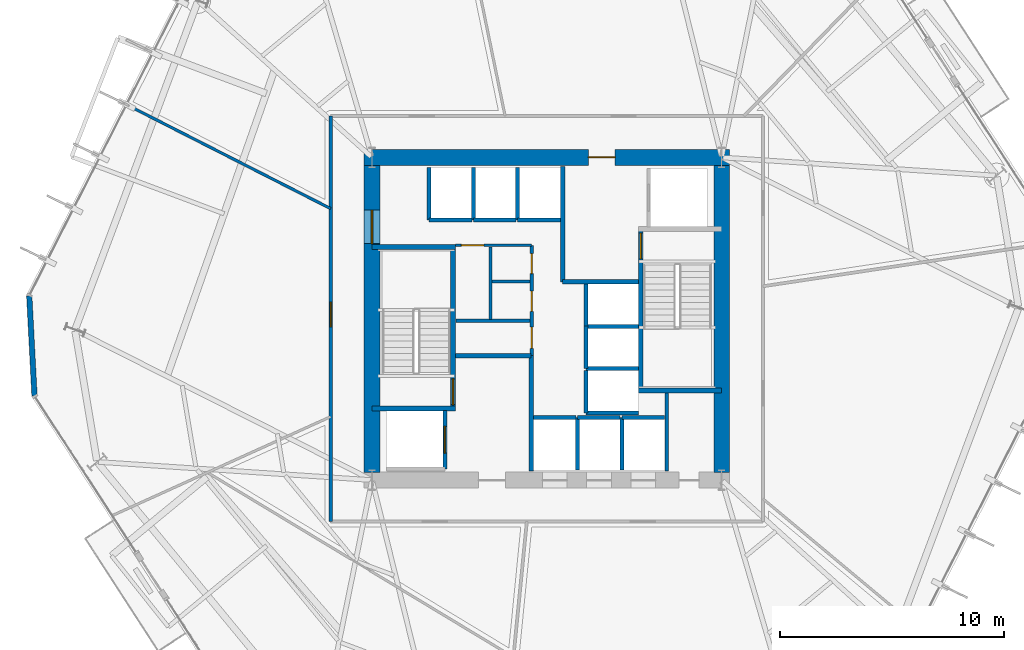
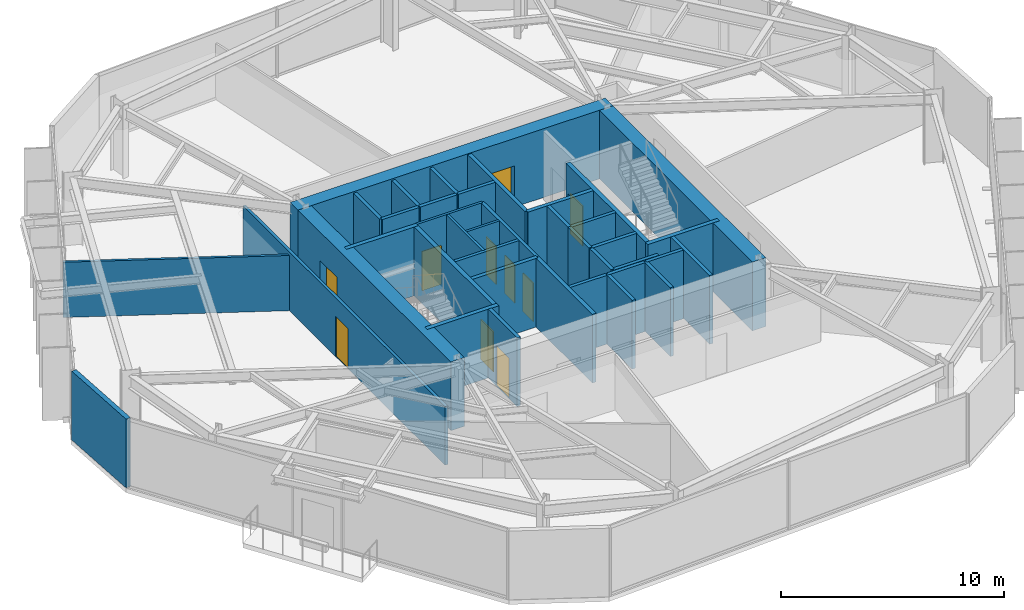
# One storey, part 6 of 10: 39 walls, 10 doors, 10 openings.
"""IFC4 building model written with IfcOpenShell, lengths in metres."""

from ifc_helpers import new_model, si_unit, direction, frame, frame_2d, origin, place, context, subcontext, project, spatial, rectangle, extrude, material, layer, layer_set, type_object, element, fill, save


model = new_model("IFC4")

# Units and contexts
model_context = context("Model", 3, precision=1e-05, world=origin(), true_north=direction((0.0, 1.0)))
body_context = subcontext(model_context, "Body", "Model", "MODEL_VIEW")
ifc_project = project(units=[si_unit("LENGTHUNIT", "METRE"), si_unit("AREAUNIT", "SQUARE_METRE"), si_unit("VOLUMEUNIT", "CUBIC_METRE"), si_unit("PLANEANGLEUNIT", "RADIAN"), si_unit("MASSUNIT", "GRAM", prefix="KILO")], contexts=[model_context])

# Site, building, storey
site_placement = place(None, origin())
site = spatial("IfcSite", under=ifc_project, at=site_placement, CompositionType="ELEMENT")
building_placement = place(site_placement, origin())
building = spatial("IfcBuilding", under=site, at=building_placement, Name="Kranzbogen Civic Tower", CompositionType="ELEMENT")
storey_placement = place(building_placement, frame((0.0, 0.0, 32.0)))
storey = spatial("IfcBuildingStorey", under=building, at=storey_placement, Name="L07", CompositionType="ELEMENT", Elevation=32.0)

# Wall, opening, door
ifc_material_1 = material(Name="Double-Stud Acoustic Gypsum Partition")
ifc_layer_1 = layer(ifc_material_1, 0.14990234375, Name="Double-Stud Acoustic Gypsum Partition")
ifc_layer_set_1 = layer_set([ifc_layer_1], Name="Double-Stud Acoustic Gypsum Partition")
wall_type_1 = type_object("IfcWallType", Name="Acoustic Corridor and Clinical Partition 150 mm", PredefinedType="PARTITIONING", material=ifc_layer_set_1)
wall_1_placement = place(storey_placement, frame((15.35009765625, 15.949951171875, 0.0), z_axis=(0.0, 0.0, 1.0), x_axis=(0.0, 1.0, 0.0)))
wall_1 = element("IfcWall", 1, at=wall_1_placement, inside=storey, type_object=wall_type_1, Name="L07 corridor partition 04", PredefinedType="PARTITIONING", context=body_context, shape_type="SweptSolid", body=[
    extrude(rectangle(XDim=18.10009765625, YDim=0.14990234375, at=frame_2d((9.050048828125, 0.0))), origin(), (0.0, 0.0, 1.0), 3.2099609375),
])
opening_1_placement = place(wall_1_placement, frame((8.68701171875, 0.0, 0.0)))
opening_1 = element("IfcOpeningElement", 2, at=opening_1_placement, cuts=wall_1, Name="Opening D-COR60", PredefinedType="OPENING", context=body_context, shape_type="SweptSolid", body=[
    extrude(rectangle(XDim=1.10009765625, YDim=2.199951171875, at=frame_2d((0.550048828125, 1.10009765625))), frame((0.0, 0.0849609375, 0.0), z_axis=(0.0, -1.0, 0.0), x_axis=(1.0, 0.0, 0.0)), (0.0, 0.0, 1.0), 0.169921875),
])
ifc_material_2 = material(Name="Oak Timber and Fire Core", Category="wood")
door_type_1 = type_object("IfcDoorType", Name="Corridor Acoustic Fire Door 1100x2200", OperationType="NOTDEFINED", PredefinedType="DOOR", material=ifc_material_2)
door_1_placement = place(opening_1_placement, origin())
door_1 = element("IfcDoor", 3, at=door_1_placement, inside=storey, type_object=door_type_1, Name="L07 Ministerial Policy Office door", OperationType="SINGLE_SWING_RIGHT", OverallHeight=2.199951171875, OverallWidth=1.10009765625, PredefinedType="DOOR", context=body_context, shape_type="SweptSolid", body=[
    extrude(rectangle(XDim=1.10009765625, YDim=2.199951171875, at=frame_2d((0.550048828125, 1.10009765625))), frame((0.0, 0.02490234375, 0.0), z_axis=(0.0, -1.0, 0.0), x_axis=(1.0, 0.0, 0.0)), (0.0, 0.0, 1.0), 0.050048828125),
])
fill(opening_1, door_1)

ifc_material_3 = material(Name="Insulated Metal-Stud Gypsum Partition")
ifc_layer_2 = layer(ifc_material_3, 0.125, Name="Insulated Metal-Stud Gypsum Partition")
ifc_layer_set_2 = layer_set([ifc_layer_2], Name="Insulated Metal-Stud Gypsum Partition")
wall_type_2 = type_object("IfcWallType", Name="Acoustic Inter-Room Partition 125 mm", PredefinedType="PARTITIONING", material=ifc_layer_set_2)
wall_2_placement = place(storey_placement, frame((20.919921875, 28.280029296875, 0.0), z_axis=(0.0, 0.0, 1.0), x_axis=(1.0, 0.0, 0.0)))
wall_2 = element("IfcWall", 4, at=wall_2_placement, inside=storey, type_object=wall_type_2, Name="L07 core auxiliary North wall", PredefinedType="PARTITIONING", context=body_context, shape_type="SweptSolid", body=[
    extrude(rectangle(XDim=3.405029296875, YDim=0.125, at=frame_2d((1.70263671875, 0.0))), origin(), (0.0, 0.0, 1.0), 3.760009765625),
])
opening_2_placement = place(wall_2_placement, frame((0.27001953125, 0.0, 0.0)))
opening_2 = element("IfcOpeningElement", 5, at=opening_2_placement, cuts=wall_2, Name="Opening D-RSR10", PredefinedType="OPENING", context=body_context, shape_type="SweptSolid", body=[
    extrude(rectangle(XDim=1.0, YDim=2.14990234375, at=frame_2d((0.5, 1.074951171875))), frame((0.0, 0.072509765625, 0.0), z_axis=(0.0, -1.0, 0.0), x_axis=(1.0, 0.0, 0.0)), (0.0, 0.0, 1.0), 0.14501953125),
])
door_type_2 = type_object("IfcDoorType", Name="Core Archive and Riser Fire Door 1000x2150", OperationType="NOTDEFINED", PredefinedType="DOOR", material=ifc_material_2)
door_2_placement = place(opening_2_placement, origin())
door_2 = element("IfcDoor", 6, at=door_2_placement, inside=storey, type_object=door_type_2, Name="L07 Floor Supply Store door", OperationType="SINGLE_SWING_RIGHT", OverallHeight=2.14990234375, OverallWidth=1.0, PredefinedType="DOOR", context=body_context, shape_type="SweptSolid", body=[
    extrude(rectangle(XDim=1.0, YDim=2.14990234375, at=frame_2d((0.5, 1.074951171875))), frame((0.0, 0.02490234375, 0.0), z_axis=(0.0, -1.0, 0.0), x_axis=(1.0, 0.0, 0.0)), (0.0, 0.0, 1.0), 0.050048828125),
])
fill(opening_2, door_2)

# Walls
wall_3_placement = place(storey_placement, frame((22.489990234375, 24.969970703125, 0.0), z_axis=(0.0, 0.0, 1.0), x_axis=(0.0, 1.0, 0.0)))
element("IfcWall", 7, at=wall_3_placement, inside=storey, type_object=wall_type_2, Name="L07 core auxiliary partition 2", PredefinedType="PARTITIONING", context=body_context, shape_type="SweptSolid", body=[
    extrude(rectangle(XDim=3.22998046875, YDim=0.125, at=frame_2d((1.614990234375, 0.0))), origin(), (0.0, 0.0, 1.0), 3.760009765625),
])
wall_4_placement = place(storey_placement, frame((22.550048828125, 26.659912109375, 0.0), z_axis=(0.0, 0.0, 1.0), x_axis=(1.0, 0.0, 0.0)))
element("IfcWall", 8, at=wall_4_placement, inside=storey, type_object=wall_type_2, Name="L07 core auxiliary partition 3", PredefinedType="PARTITIONING", context=body_context, shape_type="SweptSolid", body=[
    extrude(rectangle(XDim=1.699951171875, YDim=0.125, at=frame_2d((0.85009765625, 0.0))), origin(), (0.0, 0.0, 1.0), 3.760009765625),
])
wall_5_placement = place(storey_placement, frame((15.35009765625, 29.9169921875, 0.0), z_axis=(0.0, 0.0, 1.0), x_axis=(-0.891026709761, 0.453950881145, 0.0)))
element("IfcWall", 9, at=wall_5_placement, inside=storey, type_object=wall_type_2, Name="L07 radial room partition 03", PredefinedType="PARTITIONING", context=body_context, shape_type="SweptSolid", body=[
    extrude(rectangle(XDim=10.19970703125, YDim=0.125, at=frame_2d((5.099853515625, 0.0))), origin(), (0.0, 0.0, 1.0), 3.02001953125),
])

# Wall, opening, door
ifc_material_4 = material(Name="Concrete C55/67", Category="concrete")
ifc_layer_3 = layer(ifc_material_4, 0.699951171875, Name="Concrete C55/67")
ifc_layer_set_3 = layer_set([ifc_layer_3], Name="Concrete C55/67")
wall_type_3 = type_object("IfcWallType", Name="Central Core Shear Wall 700 mm", PredefinedType="SHEAR", material=ifc_layer_set_3)
wall_6_placement = place(storey_placement, frame((33.14990234375, 32.199951171875, 0.0), z_axis=(0.0, 0.0, 1.0), x_axis=(-1.0, 0.0, 0.0)))
wall_6 = element("IfcWall", 10, at=wall_6_placement, inside=storey, type_object=wall_type_3, Name="L07 central core North shear wall", PredefinedType="SHEAR", context=body_context, shape_type="SweptSolid", body=[
    extrude(rectangle(XDim=16.2998046875, YDim=0.699951171875, at=frame_2d((8.14990234375, 0.0))), origin(), (0.0, 0.0, 1.0), 3.760009765625),
])
opening_3_placement = place(wall_6_placement, frame((5.10009765625, 0.0, 0.0)))
opening_3 = element("IfcOpeningElement", 11, at=opening_3_placement, cuts=wall_6, Name="Opening D-EX120", PredefinedType="OPENING", context=body_context, shape_type="SweptSolid", body=[
    extrude(rectangle(XDim=1.199951171875, YDim=2.25, at=frame_2d((0.60009765625, 1.125))), frame((0.0, 0.35986328125, 0.0), z_axis=(0.0, -1.0, 0.0), x_axis=(1.0, 0.0, 0.0)), (0.0, 0.0, 1.0), 0.719970703125),
])
ifc_material_5 = material(Name="Steel S355", Category="steel")
door_type_3 = type_object("IfcDoorType", Name="Exit Passageway Fire Door 1200x2250", OperationType="NOTDEFINED", PredefinedType="DOOR", material=ifc_material_5)
door_3_placement = place(opening_3_placement, origin())
door_3 = element("IfcDoor", 12, at=door_3_placement, inside=storey, type_object=door_type_3, Name="L07 East firefighting lobby corridor door", OperationType="SINGLE_SWING_RIGHT", OverallHeight=2.25, OverallWidth=1.199951171875, PredefinedType="DOOR", context=body_context, shape_type="SweptSolid", body=[
    extrude(rectangle(XDim=1.199951171875, YDim=2.25, at=frame_2d((0.60009765625, 1.125))), frame((0.0, 0.02490234375, 0.0), z_axis=(0.0, -1.0, 0.0), x_axis=(1.0, 0.0, 0.0)), (0.0, 0.0, 1.0), 0.050048828125),
])
fill(opening_3, door_3)

wall_7_placement = place(storey_placement, frame((17.199951171875, 31.85009765625, 0.0), z_axis=(0.0, 0.0, 1.0), x_axis=(0.0, -1.0, 0.0)))
wall_7 = element("IfcWall", 13, at=wall_7_placement, inside=storey, type_object=wall_type_3, Name="L07 central core West shear wall", PredefinedType="SHEAR", context=body_context, shape_type="SweptSolid", body=[
    extrude(rectangle(XDim=13.7001953125, YDim=0.699951171875, at=frame_2d((6.85009765625, 0.0))), origin(), (0.0, 0.0, 1.0), 3.760009765625),
])
opening_4_placement = place(wall_7_placement, frame((2.0, 0.0, 0.0)))
opening_4 = element("IfcOpeningElement", 14, at=opening_4_placement, cuts=wall_7, Name="Opening D-DBL15", PredefinedType="OPENING", context=body_context, shape_type="SweptSolid", body=[
    extrude(rectangle(XDim=1.5, YDim=2.199951171875, at=frame_2d((0.75, 1.10009765625))), frame((0.0, 0.35986328125, 0.0), z_axis=(0.0, -1.0, 0.0), x_axis=(1.0, 0.0, 0.0)), (0.0, 0.0, 1.0), 0.719970703125),
])
ifc_material_6 = material(Name="Anodised Bronze and Glass", Category="glass")
door_type_4 = type_object("IfcDoorType", Name="Civic Lobby Double Door 1500x2200", OperationType="DOUBLE_DOOR_SINGLE_SWING", PredefinedType="DOOR", material=ifc_material_6)
door_4_placement = place(opening_4_placement, origin())
door_4 = element("IfcDoor", 15, at=door_4_placement, inside=storey, type_object=door_type_4, Name="L07 Central Lift Lobby West concourse door", OperationType="DOUBLE_DOOR_SINGLE_SWING", OverallHeight=2.199951171875, OverallWidth=1.5, PredefinedType="DOOR", context=body_context, shape_type="SweptSolid", body=[
    extrude(rectangle(XDim=1.5, YDim=2.199951171875, at=frame_2d((0.75, 1.10009765625))), frame((0.0, 0.02490234375, 0.0), z_axis=(0.0, -1.0, 0.0), x_axis=(1.0, 0.0, 0.0)), (0.0, 0.0, 1.0), 0.050048828125),
])
fill(opening_4, door_4)

# Wall
wall_8_placement = place(storey_placement, frame((32.800048828125, 18.14990234375, 0.0), z_axis=(0.0, 0.0, 1.0), x_axis=(0.0, 1.0, 0.0)))
element("IfcWall", 16, at=wall_8_placement, inside=storey, type_object=wall_type_3, Name="L07 central core East shear wall", PredefinedType="SHEAR", context=body_context, shape_type="SweptSolid", body=[
    extrude(rectangle(XDim=13.7001953125, YDim=0.699951171875, at=frame_2d((6.85009765625, 0.0))), origin(), (0.0, 0.0, 1.0), 3.760009765625),
])

# Wall, opening, door
ifc_material_7 = material(Name="Concrete C45/55", Category="concrete")
ifc_layer_4 = layer(ifc_material_7, 0.219970703125, Name="Concrete C45/55")
ifc_layer_set_4 = layer_set([ifc_layer_4], Name="Concrete C45/55")
wall_type_4 = type_object("IfcWallType", Name="Core Internal Stair Structural Wall 220 mm", PredefinedType="SOLIDWALL", material=ifc_layer_set_4)
wall_9_placement = place(storey_placement, frame((20.81005859375, 20.989990234375, 0.0), z_axis=(0.0, 0.0, 1.0), x_axis=(0.0, 1.0, 0.0)))
wall_9 = element("IfcWall", 17, at=wall_9_placement, inside=storey, type_object=wall_type_4, Name="L07 ST-T1 East structural stair wall", PredefinedType="SOLIDWALL", context=body_context, shape_type="SweptSolid", body=[
    extrude(rectangle(XDim=7.219970703125, YDim=0.219970703125, at=frame_2d((3.60986328125, 0.0))), origin(), (0.0, 0.0, 1.0), 3.760009765625),
])
opening_5_placement = place(wall_9_placement, frame((0.179931640625, 0.0, 0.0)))
opening_5 = element("IfcOpeningElement", 18, at=opening_5_placement, cuts=wall_9, Name="Opening D-ST90", PredefinedType="OPENING", context=body_context, shape_type="SweptSolid", body=[
    extrude(rectangle(XDim=1.14990234375, YDim=2.199951171875, at=frame_2d((0.574951171875, 1.10009765625))), frame((0.0, 0.1201171875, 0.0), z_axis=(0.0, -1.0, 0.0), x_axis=(1.0, 0.0, 0.0)), (0.0, 0.0, 1.0), 0.239990234375),
])
door_type_5 = type_object("IfcDoorType", Name="Pressurized Stair and Lobby Fire Door 1150x2200", OperationType="NOTDEFINED", PredefinedType="DOOR", material=ifc_material_5)
door_5_placement = place(opening_5_placement, origin())
door_5 = element("IfcDoor", 19, at=door_5_placement, inside=storey, type_object=door_type_5, Name="L07 Stair ST-T1 fire door", OperationType="SINGLE_SWING_LEFT", OverallHeight=2.199951171875, OverallWidth=1.14990234375, PredefinedType="DOOR", context=body_context, shape_type="SweptSolid", body=[
    extrude(rectangle(XDim=1.14990234375, YDim=2.199951171875, at=frame_2d((0.574951171875, 1.10009765625))), frame((0.0, 0.02490234375, 0.0), z_axis=(0.0, -1.0, 0.0), x_axis=(1.0, 0.0, 0.0)), (0.0, 0.0, 1.0), 0.050048828125),
])
fill(opening_5, door_5)

# Walls
for number, where, z_axis, x_axis, name in (
    (20, (17.199951171875, 20.989990234375, 0.0), (0.0, 0.0, 1.0), (1.0, 0.0, 0.0), "L07 ST-T1 South structural stair wall"),
    (21, (17.199951171875, 28.2099609375, 0.0), (0.0, 0.0, 1.0), (1.0, 0.0, 0.0), "L07 ST-T1 North structural stair wall"),
):
    element("IfcWall", number, at=place(storey_placement, frame(where, z_axis=z_axis, x_axis=x_axis)), inside=storey, type_object=wall_type_4, Name=name, PredefinedType="SOLIDWALL", context=body_context, shape_type="SweptSolid", body=[
        extrude(rectangle(XDim=3.719970703125, YDim=0.219970703125, at=frame_2d((1.85986328125, 0.0))), origin(), (0.0, 0.0, 1.0), 3.760009765625),
    ])

# Wall, opening, door
wall_10_placement = place(storey_placement, frame((29.18994140625, 21.7900390625, 0.0), z_axis=(0.0, 0.0, 1.0), x_axis=(0.0, 1.0, 0.0)))
wall_10 = element("IfcWall", 22, at=wall_10_placement, inside=storey, type_object=wall_type_4, Name="L07 ST-T2 West structural stair wall", PredefinedType="SOLIDWALL", context=body_context, shape_type="SweptSolid", body=[
    extrude(rectangle(XDim=7.219970703125, YDim=0.219970703125, at=frame_2d((3.60986328125, 0.0))), origin(), (0.0, 0.0, 1.0), 3.760009765625),
])
opening_6_placement = place(wall_10_placement, frame((5.8798828125, 0.0, 0.0)))
opening_6 = element("IfcOpeningElement", 23, at=opening_6_placement, cuts=wall_10, Name="Opening D-ST90", PredefinedType="OPENING", context=body_context, shape_type="SweptSolid", body=[
    extrude(rectangle(XDim=1.14990234375, YDim=2.199951171875, at=frame_2d((0.574951171875, 1.10009765625))), frame((0.0, 0.1201171875, 0.0), z_axis=(0.0, -1.0, 0.0), x_axis=(1.0, 0.0, 0.0)), (0.0, 0.0, 1.0), 0.239990234375),
])
door_6_placement = place(opening_6_placement, origin())
door_6 = element("IfcDoor", 24, at=door_6_placement, inside=storey, type_object=door_type_5, Name="L07 Stair ST-T2 fire door", OperationType="SINGLE_SWING_RIGHT", OverallHeight=2.199951171875, OverallWidth=1.14990234375, PredefinedType="DOOR", context=body_context, shape_type="SweptSolid", body=[
    extrude(rectangle(XDim=1.14990234375, YDim=2.199951171875, at=frame_2d((0.574951171875, 1.10009765625))), frame((0.0, 0.02490234375, 0.0), z_axis=(0.0, -1.0, 0.0), x_axis=(1.0, 0.0, 0.0)), (0.0, 0.0, 1.0), 0.050048828125),
])
fill(opening_6, door_6)

# Walls
wall_11_placement = place(storey_placement, frame((29.080078125, 21.7900390625, 0.0), z_axis=(0.0, 0.0, 1.0), x_axis=(1.0, 0.0, 0.0)))
element("IfcWall", 25, at=wall_11_placement, inside=storey, type_object=wall_type_4, Name="L07 ST-T2 South structural stair wall", PredefinedType="SOLIDWALL", context=body_context, shape_type="SweptSolid", body=[
    extrude(rectangle(XDim=3.719970703125, YDim=0.219970703125, at=frame_2d((1.85986328125, 0.0))), origin(), (0.0, 0.0, 1.0), 3.760009765625),
])
ifc_material_8 = material(Name="Gypsum Fireboard and Concrete Block", Category="concrete")
ifc_layer_5 = layer(ifc_material_8, 0.199951171875, Name="Gypsum Fireboard and Concrete Block")
ifc_layer_set_5 = layer_set([ifc_layer_5], Name="Gypsum Fireboard and Concrete Block")
wall_type_5 = type_object("IfcWallType", Name="Fire-Rated Exit Passageway and Stair Wall 200 mm", PredefinedType="PARTITIONING", material=ifc_layer_set_5)
wall_12_placement = place(storey_placement, frame((24.300048828125, 18.199951171875, 0.0), z_axis=(0.0, 0.0, 1.0), x_axis=(0.0, 1.0, 0.0)))
element("IfcWall", 26, at=wall_12_placement, inside=storey, type_object=wall_type_5, Name="L07 West firefighting lobby East wall", PredefinedType="PARTITIONING", context=body_context, shape_type="SweptSolid", body=[
    extrude(rectangle(XDim=5.150146484375, YDim=0.199951171875, at=frame_2d((2.5751953125, 0.0))), origin(), (0.0, 0.0, 1.0), 3.760009765625),
])
wall_13_placement = place(storey_placement, frame((20.919921875, 23.35009765625, 0.0), z_axis=(0.0, 0.0, 1.0), x_axis=(1.0, 0.0, 0.0)))
element("IfcWall", 27, at=wall_13_placement, inside=storey, type_object=wall_type_5, Name="L07 West firefighting lobby North wall", PredefinedType="PARTITIONING", context=body_context, shape_type="SweptSolid", body=[
    extrude(rectangle(XDim=3.380126953125, YDim=0.199951171875, at=frame_2d((1.68994140625, 0.0))), origin(), (0.0, 0.0, 1.0), 3.760009765625),
])
wall_14_placement = place(storey_placement, frame((25.699951171875, 26.64990234375, 0.0), z_axis=(0.0, 0.0, 1.0), x_axis=(0.0, 1.0, 0.0)))
element("IfcWall", 28, at=wall_14_placement, inside=storey, type_object=wall_type_5, Name="L07 East firefighting lobby West wall", PredefinedType="PARTITIONING", context=body_context, shape_type="SweptSolid", body=[
    extrude(rectangle(XDim=5.150146484375, YDim=0.199951171875, at=frame_2d((2.5751953125, 0.0))), origin(), (0.0, 0.0, 1.0), 3.760009765625),
])
wall_15_placement = place(storey_placement, frame((25.699951171875, 26.64990234375, 0.0), z_axis=(0.0, 0.0, 1.0), x_axis=(1.0, 0.0, 0.0)))
element("IfcWall", 29, at=wall_15_placement, inside=storey, type_object=wall_type_5, Name="L07 East firefighting lobby South wall", PredefinedType="PARTITIONING", context=body_context, shape_type="SweptSolid", body=[
    extrude(rectangle(XDim=3.380126953125, YDim=0.199951171875, at=frame_2d((1.68994140625, 0.0))), origin(), (0.0, 0.0, 1.0), 3.760009765625),
])
ifc_material_9 = material(Name="Gypsum Fireboard Shaftliner")
ifc_layer_6 = layer(ifc_material_9, 0.175048828125, Name="Gypsum Fireboard Shaftliner")
ifc_layer_set_6 = layer_set([ifc_layer_6], Name="Gypsum Fireboard Shaftliner")
wall_type_6 = type_object("IfcWallType", Name="Fire-Rated Lift and Service Shaft Wall 175 mm", PredefinedType="PARTITIONING", material=ifc_layer_set_6)
wall_16_placement = place(storey_placement, frame((30.35009765625, 18.199951171875, 0.0), z_axis=(0.0, 0.0, 1.0), x_axis=(0.0, 1.0, 0.0)))
element("IfcWall", 30, at=wall_16_placement, inside=storey, type_object=wall_type_6, Name="L07 East core riser West wall", PredefinedType="PARTITIONING", context=body_context, shape_type="SweptSolid", body=[
    extrude(rectangle(XDim=3.47998046875, YDim=0.175048828125, at=frame_2d((1.739990234375, 0.0))), origin(), (0.0, 0.0, 1.0), 3.760009765625),
])
wall_17_placement = place(storey_placement, frame((24.39990234375, 20.60009765625, 0.0), z_axis=(0.0, 0.0, 1.0), x_axis=(1.0, 0.0, 0.0)))
element("IfcWall", 31, at=wall_17_placement, inside=storey, type_object=wall_type_6, Name="L07 lift LP-01 rear wall", PredefinedType="PARTITIONING", context=body_context, shape_type="SweptSolid", body=[
    extrude(rectangle(XDim=1.900146484375, YDim=0.175048828125, at=frame_2d((0.9501953125, 0.0))), origin(), (0.0, 0.0, 1.0), 3.760009765625),
])
wall_18_placement = place(storey_placement, frame((26.375, 20.60009765625, 0.0), z_axis=(0.0, 0.0, 1.0), x_axis=(1.0, 0.0, 0.0)))
element("IfcWall", 32, at=wall_18_placement, inside=storey, type_object=wall_type_6, Name="L07 lift LP-02 rear wall", PredefinedType="PARTITIONING", context=body_context, shape_type="SweptSolid", body=[
    extrude(rectangle(XDim=1.89990234375, YDim=0.175048828125, at=frame_2d((0.949951171875, 0.0))), origin(), (0.0, 0.0, 1.0), 3.760009765625),
])
wall_19_placement = place(storey_placement, frame((26.375, 18.25, 0.0), z_axis=(0.0, 0.0, 1.0), x_axis=(0.0, 1.0, 0.0)))
element("IfcWall", 33, at=wall_19_placement, inside=storey, type_object=wall_type_6, Name="L07 lift LP-02 side wall", PredefinedType="PARTITIONING", context=body_context, shape_type="SweptSolid", body=[
    extrude(rectangle(XDim=2.35009765625, YDim=0.175048828125, at=frame_2d((1.175048828125, 0.0))), origin(), (0.0, 0.0, 1.0), 3.760009765625),
])
wall_20_placement = place(storey_placement, frame((28.35009765625, 20.60009765625, 0.0), z_axis=(0.0, 0.0, 1.0), x_axis=(1.0, 0.0, 0.0)))
element("IfcWall", 34, at=wall_20_placement, inside=storey, type_object=wall_type_6, Name="L07 lift LP-03 rear wall", PredefinedType="PARTITIONING", context=body_context, shape_type="SweptSolid", body=[
    extrude(rectangle(XDim=1.89990234375, YDim=0.175048828125, at=frame_2d((0.949951171875, 0.0))), origin(), (0.0, 0.0, 1.0), 3.760009765625),
])
wall_21_placement = place(storey_placement, frame((28.35009765625, 18.25, 0.0), z_axis=(0.0, 0.0, 1.0), x_axis=(0.0, 1.0, 0.0)))
element("IfcWall", 35, at=wall_21_placement, inside=storey, type_object=wall_type_6, Name="L07 lift LP-03 side wall", PredefinedType="PARTITIONING", context=body_context, shape_type="SweptSolid", body=[
    extrude(rectangle(XDim=2.35009765625, YDim=0.175048828125, at=frame_2d((1.175048828125, 0.0))), origin(), (0.0, 0.0, 1.0), 3.760009765625),
])
wall_22_placement = place(storey_placement, frame((19.75, 29.39990234375, 0.0), z_axis=(0.0, 0.0, 1.0), x_axis=(1.0, 0.0, 0.0)))
element("IfcWall", 36, at=wall_22_placement, inside=storey, type_object=wall_type_6, Name="L07 lift MP-01 rear wall", PredefinedType="PARTITIONING", context=body_context, shape_type="SweptSolid", body=[
    extrude(rectangle(XDim=1.89990234375, YDim=0.175048828125, at=frame_2d((0.949951171875, 0.0))), origin(), (0.0, 0.0, 1.0), 3.760009765625),
])
wall_23_placement = place(storey_placement, frame((19.75, 29.39990234375, 0.0), z_axis=(0.0, 0.0, 1.0), x_axis=(0.0, 1.0, 0.0)))
element("IfcWall", 37, at=wall_23_placement, inside=storey, type_object=wall_type_6, Name="L07 lift MP-01 side wall", PredefinedType="PARTITIONING", context=body_context, shape_type="SweptSolid", body=[
    extrude(rectangle(XDim=2.35009765625, YDim=0.175048828125, at=frame_2d((1.175048828125, 0.0))), origin(), (0.0, 0.0, 1.0), 3.760009765625),
])
wall_24_placement = place(storey_placement, frame((21.72509765625, 29.39990234375, 0.0), z_axis=(0.0, 0.0, 1.0), x_axis=(1.0, 0.0, 0.0)))
element("IfcWall", 38, at=wall_24_placement, inside=storey, type_object=wall_type_6, Name="L07 lift MP-02 rear wall", PredefinedType="PARTITIONING", context=body_context, shape_type="SweptSolid", body=[
    extrude(rectangle(XDim=1.89990234375, YDim=0.175048828125, at=frame_2d((0.949951171875, 0.0))), origin(), (0.0, 0.0, 1.0), 3.760009765625),
])
wall_25_placement = place(storey_placement, frame((21.72509765625, 29.39990234375, 0.0), z_axis=(0.0, 0.0, 1.0), x_axis=(0.0, 1.0, 0.0)))
element("IfcWall", 39, at=wall_25_placement, inside=storey, type_object=wall_type_6, Name="L07 lift MP-02 side wall", PredefinedType="PARTITIONING", context=body_context, shape_type="SweptSolid", body=[
    extrude(rectangle(XDim=2.35009765625, YDim=0.175048828125, at=frame_2d((1.175048828125, 0.0))), origin(), (0.0, 0.0, 1.0), 3.760009765625),
])
wall_26_placement = place(storey_placement, frame((23.699951171875, 29.39990234375, 0.0), z_axis=(0.0, 0.0, 1.0), x_axis=(1.0, 0.0, 0.0)))
element("IfcWall", 40, at=wall_26_placement, inside=storey, type_object=wall_type_6, Name="L07 lift MP-03 rear wall", PredefinedType="PARTITIONING", context=body_context, shape_type="SweptSolid", body=[
    extrude(rectangle(XDim=1.900146484375, YDim=0.175048828125, at=frame_2d((0.9501953125, 0.0))), origin(), (0.0, 0.0, 1.0), 3.760009765625),
])
wall_27_placement = place(storey_placement, frame((23.699951171875, 29.39990234375, 0.0), z_axis=(0.0, 0.0, 1.0), x_axis=(0.0, 1.0, 0.0)))
element("IfcWall", 41, at=wall_27_placement, inside=storey, type_object=wall_type_6, Name="L07 lift MP-03 side wall", PredefinedType="PARTITIONING", context=body_context, shape_type="SweptSolid", body=[
    extrude(rectangle(XDim=2.35009765625, YDim=0.175048828125, at=frame_2d((1.175048828125, 0.0))), origin(), (0.0, 0.0, 1.0), 3.760009765625),
])
wall_28_placement = place(storey_placement, frame((26.75, 20.800048828125, 0.0), z_axis=(0.0, 0.0, 1.0), x_axis=(0.0, 1.0, 0.0)))
element("IfcWall", 42, at=wall_28_placement, inside=storey, type_object=wall_type_6, Name="L07 lift HP-01 landing wall", PredefinedType="PARTITIONING", context=body_context, shape_type="SweptSolid", body=[
    extrude(rectangle(XDim=1.89990234375, YDim=0.175048828125, at=frame_2d((0.949951171875, 0.0))), origin(), (0.0, 0.0, 1.0), 3.760009765625),
])
wall_29_placement = place(storey_placement, frame((26.75, 20.800048828125, 0.0), z_axis=(0.0, 0.0, 1.0), x_axis=(1.0, 0.0, 0.0)))
element("IfcWall", 43, at=wall_29_placement, inside=storey, type_object=wall_type_6, Name="L07 lift HP-01 side wall", PredefinedType="PARTITIONING", context=body_context, shape_type="SweptSolid", body=[
    extrude(rectangle(XDim=2.35009765625, YDim=0.175048828125, at=frame_2d((1.175048828125, 0.0))), origin(), (0.0, 0.0, 1.0), 3.760009765625),
])
wall_30_placement = place(storey_placement, frame((26.75, 22.77490234375, 0.0), z_axis=(0.0, 0.0, 1.0), x_axis=(0.0, 1.0, 0.0)))
element("IfcWall", 44, at=wall_30_placement, inside=storey, type_object=wall_type_6, Name="L07 lift HP-02 landing wall", PredefinedType="PARTITIONING", context=body_context, shape_type="SweptSolid", body=[
    extrude(rectangle(XDim=1.900146484375, YDim=0.175048828125, at=frame_2d((0.9501953125, 0.0))), origin(), (0.0, 0.0, 1.0), 3.760009765625),
])
wall_31_placement = place(storey_placement, frame((26.75, 22.77490234375, 0.0), z_axis=(0.0, 0.0, 1.0), x_axis=(1.0, 0.0, 0.0)))
element("IfcWall", 45, at=wall_31_placement, inside=storey, type_object=wall_type_6, Name="L07 lift HP-02 side wall", PredefinedType="PARTITIONING", context=body_context, shape_type="SweptSolid", body=[
    extrude(rectangle(XDim=2.35009765625, YDim=0.175048828125, at=frame_2d((1.175048828125, 0.0))), origin(), (0.0, 0.0, 1.0), 3.760009765625),
])
wall_32_placement = place(storey_placement, frame((26.75, 24.64990234375, 0.0), z_axis=(0.0, 0.0, 1.0), x_axis=(0.0, 1.0, 0.0)))
element("IfcWall", 46, at=wall_32_placement, inside=storey, type_object=wall_type_6, Name="L07 lift HP-03 landing wall", PredefinedType="PARTITIONING", context=body_context, shape_type="SweptSolid", body=[
    extrude(rectangle(XDim=1.900146484375, YDim=0.175048828125, at=frame_2d((0.9501953125, 0.0))), origin(), (0.0, 0.0, 1.0), 3.760009765625),
])
wall_33_placement = place(storey_placement, frame((26.75, 24.64990234375, 0.0), z_axis=(0.0, 0.0, 1.0), x_axis=(1.0, 0.0, 0.0)))
element("IfcWall", 47, at=wall_33_placement, inside=storey, type_object=wall_type_6, Name="L07 lift HP-03 side wall", PredefinedType="PARTITIONING", context=body_context, shape_type="SweptSolid", body=[
    extrude(rectangle(XDim=2.35009765625, YDim=0.175048828125, at=frame_2d((1.175048828125, 0.0))), origin(), (0.0, 0.0, 1.0), 3.760009765625),
])

# Wall, opening, door
wall_34_placement = place(storey_placement, frame((20.449951171875, 18.300048828125, 0.0), z_axis=(0.0, 0.0, 1.0), x_axis=(0.0, 1.0, 0.0)))
wall_34 = element("IfcWall", 48, at=wall_34_placement, inside=storey, type_object=wall_type_6, Name="L07 lift FF-01 landing wall", PredefinedType="PARTITIONING", context=body_context, shape_type="SweptSolid", body=[
    extrude(rectangle(XDim=2.599853515625, YDim=0.175048828125, at=frame_2d((1.2998046875, 0.0))), origin(), (0.0, 0.0, 1.0), 3.760009765625),
])
opening_7_placement = place(wall_34_placement, frame((0.699951171875, 0.0, 0.0)))
opening_7 = element("IfcOpeningElement", 49, at=opening_7_placement, cuts=wall_34, Name="Opening LD-FF-01", PredefinedType="OPENING", context=body_context, shape_type="SweptSolid", body=[
    extrude(rectangle(XDim=1.199951171875, YDim=2.199951171875, at=frame_2d((0.60009765625, 1.10009765625))), frame((0.0, 0.09765625, 0.0), z_axis=(0.0, -1.0, 0.0), x_axis=(1.0, 0.0, 0.0)), (0.0, 0.0, 1.0), 0.195068359375),
])
ifc_material_10 = material(Name="Pale Anodised Aluminium", Category="aluminium")
door_type_6 = type_object("IfcDoorType", Name="Firefighting and Stretcher Lift Sliding Landing Door 1200x2200", OperationType="DOUBLE_DOOR_SLIDING", PredefinedType="DOOR", material=ifc_material_10)
door_7_placement = place(opening_7_placement, origin())
door_7 = element("IfcDoor", 50, at=door_7_placement, inside=storey, type_object=door_type_6, Name="L07 lift FF-01 sliding landing door", OperationType="DOUBLE_DOOR_SLIDING", OverallHeight=2.199951171875, OverallWidth=1.199951171875, PredefinedType="DOOR", context=body_context, shape_type="SweptSolid", body=[
    extrude(rectangle(XDim=1.199951171875, YDim=2.199951171875, at=frame_2d((0.60009765625, 1.10009765625))), frame((0.0, 0.02490234375, 0.0), z_axis=(0.0, -1.0, 0.0), x_axis=(1.0, 0.0, 0.0)), (0.0, 0.0, 1.0), 0.050048828125),
])
fill(opening_7, door_7)

# Wall
ifc_layer_7 = layer(ifc_material_10, 0.239990234375, Name="Pale Anodised Aluminium")
ifc_layer_set_7 = layer_set([ifc_layer_7], Name="Pale Anodised Aluminium")
wall_type_7 = type_object("IfcWallType", Name="Insulated Aluminium Facade Portal Wall 240 mm", PredefinedType="STANDARD", material=ifc_layer_set_7)
wall_35_placement = place(storey_placement, frame((1.902099609375, 26.029052734375, 0.0), z_axis=(0.0, 0.0, 1.0), x_axis=(0.052286689983, -0.998632115471, 0.0)))
element("IfcWall", 51, at=wall_35_placement, inside=storey, type_object=wall_type_7, Name="L07 chamfered corner facade spandrel 3", PredefinedType="STANDARD", context=body_context, shape_type="SweptSolid", body=[
    extrude(rectangle(XDim=4.47314453125, YDim=0.239990234375, at=frame_2d((2.236572265625, 0.0))), origin(), (0.0, 0.0, 1.0), 3.760009765625),
])

# Wall, openings, doors
ifc_material_11 = material(Name="Moisture-Resistant Gypsum Assembly")
ifc_layer_8 = layer(ifc_material_11, 0.159912109375, Name="Moisture-Resistant Gypsum Assembly")
ifc_layer_set_8 = layer_set([ifc_layer_8], Name="Moisture-Resistant Gypsum Assembly")
wall_type_8 = type_object("IfcWallType", Name="Sanitary and Plumbing Wet Wall 160 mm", PredefinedType="PLUMBINGWALL", material=ifc_layer_set_8)
wall_36_placement = place(storey_placement, frame((24.324951171875, 23.35009765625, 0.0), z_axis=(0.0, 0.0, 1.0), x_axis=(0.0, 1.0, 0.0)))
wall_36 = element("IfcWall", 52, at=wall_36_placement, inside=storey, type_object=wall_type_8, Name="L07 core auxiliary East wall", PredefinedType="PLUMBINGWALL", context=body_context, shape_type="SweptSolid", body=[
    extrude(rectangle(XDim=4.929931640625, YDim=0.159912109375, at=frame_2d((2.46484375, 0.0))), origin(), (0.0, 0.0, 1.0), 3.760009765625),
])
opening_8_placement = place(wall_36_placement, frame((0.324951171875, 0.0, 0.0)))
opening_8 = element("IfcOpeningElement", 53, at=opening_8_placement, cuts=wall_36, Name="Opening D-AWC95", PredefinedType="OPENING", context=body_context, shape_type="SweptSolid", body=[
    extrude(rectangle(XDim=0.949951171875, YDim=2.10009765625, at=frame_2d((0.47509765625, 1.050048828125))), frame((0.0, 0.08984375, 0.0), z_axis=(0.0, -1.0, 0.0), x_axis=(1.0, 0.0, 0.0)), (0.0, 0.0, 1.0), 0.179931640625),
])
opening_9_placement = place(wall_36_placement, frame((1.985107421875, 0.0, 0.0)))
opening_9 = element("IfcOpeningElement", 54, at=opening_9_placement, cuts=wall_36, Name="Opening D-WC90", PredefinedType="OPENING", context=body_context, shape_type="SweptSolid", body=[
    extrude(rectangle(XDim=0.89990234375, YDim=2.10009765625, at=frame_2d((0.449951171875, 1.050048828125))), frame((0.0, 0.08984375, 0.0), z_axis=(0.0, -1.0, 0.0), x_axis=(1.0, 0.0, 0.0)), (0.0, 0.0, 1.0), 0.179931640625),
])
opening_10_placement = place(wall_36_placement, frame((3.659912109375, 0.0, 0.0)))
opening_10 = element("IfcOpeningElement", 55, at=opening_10_placement, cuts=wall_36, Name="Opening D-WC90", PredefinedType="OPENING", context=body_context, shape_type="SweptSolid", body=[
    extrude(rectangle(XDim=0.89990234375, YDim=2.10009765625, at=frame_2d((0.449951171875, 1.050048828125))), frame((0.0, 0.08984375, 0.0), z_axis=(0.0, -1.0, 0.0), x_axis=(1.0, 0.0, 0.0)), (0.0, 0.0, 1.0), 0.179931640625),
])
ifc_material_12 = material(Name="Moisture-Resistant Laminate")
door_type_7 = type_object("IfcDoorType", Name="Accessible Restroom Door 950x2100", OperationType="NOTDEFINED", PredefinedType="DOOR", material=ifc_material_12)
door_8_placement = place(opening_8_placement, origin())
door_8 = element("IfcDoor", 56, at=door_8_placement, inside=storey, type_object=door_type_7, Name="L07 Accessible Restroom door", OperationType="SINGLE_SWING_LEFT", OverallHeight=2.10009765625, OverallWidth=0.949951171875, PredefinedType="DOOR", context=body_context, shape_type="SweptSolid", body=[
    extrude(rectangle(XDim=0.949951171875, YDim=2.10009765625, at=frame_2d((0.47509765625, 1.050048828125))), frame((0.0, 0.02490234375, 0.0), z_axis=(0.0, -1.0, 0.0), x_axis=(1.0, 0.0, 0.0)), (0.0, 0.0, 1.0), 0.050048828125),
])
fill(opening_8, door_8)
door_type_8 = type_object("IfcDoorType", Name="Standard Restroom and Store Door 900x2100", OperationType="NOTDEFINED", PredefinedType="DOOR", material=ifc_material_12)
door_9_placement = place(opening_9_placement, origin())
door_9 = element("IfcDoor", 57, at=door_9_placement, inside=storey, type_object=door_type_8, Name="L07 Gender-Neutral Restroom door", OperationType="SINGLE_SWING_RIGHT", OverallHeight=2.10009765625, OverallWidth=0.89990234375, PredefinedType="DOOR", context=body_context, shape_type="SweptSolid", body=[
    extrude(rectangle(XDim=0.89990234375, YDim=2.10009765625, at=frame_2d((0.449951171875, 1.050048828125))), frame((0.0, 0.02490234375, 0.0), z_axis=(0.0, -1.0, 0.0), x_axis=(1.0, 0.0, 0.0)), (0.0, 0.0, 1.0), 0.050048828125),
])
fill(opening_9, door_9)
door_10_placement = place(opening_10_placement, origin())
door_10 = element("IfcDoor", 58, at=door_10_placement, inside=storey, type_object=door_type_8, Name="L07 Floor IT Patch Closet door", OperationType="SINGLE_SWING_LEFT", OverallHeight=2.10009765625, OverallWidth=0.89990234375, PredefinedType="DOOR", context=body_context, shape_type="SweptSolid", body=[
    extrude(rectangle(XDim=0.89990234375, YDim=2.10009765625, at=frame_2d((0.449951171875, 1.050048828125))), frame((0.0, 0.02490234375, 0.0), z_axis=(0.0, -1.0, 0.0), x_axis=(1.0, 0.0, 0.0)), (0.0, 0.0, 1.0), 0.050048828125),
])
fill(opening_10, door_10)

# Wall
wall_37_placement = place(storey_placement, frame((20.949951171875, 24.909912109375, 0.0), z_axis=(0.0, 0.0, 1.0), x_axis=(1.0, 0.0, 0.0)))
element("IfcWall", 59, at=wall_37_placement, inside=storey, type_object=wall_type_8, Name="L07 core auxiliary partition 1", PredefinedType="PLUMBINGWALL", context=body_context, shape_type="SweptSolid", body=[
    extrude(rectangle(XDim=3.300048828125, YDim=0.159912109375, at=frame_2d((1.64990234375, 0.0))), origin(), (0.0, 0.0, 1.0), 3.760009765625),
])

save(model, "model.ifc")
